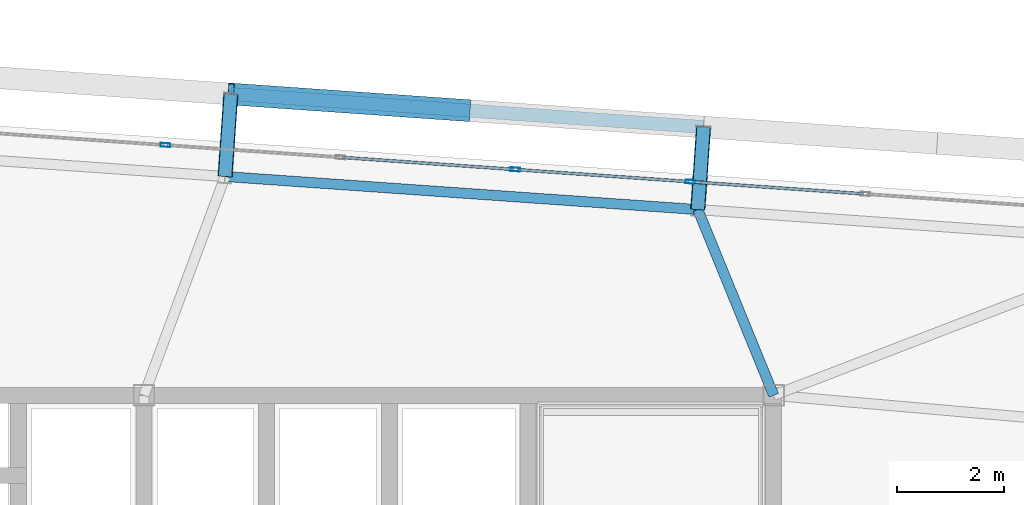
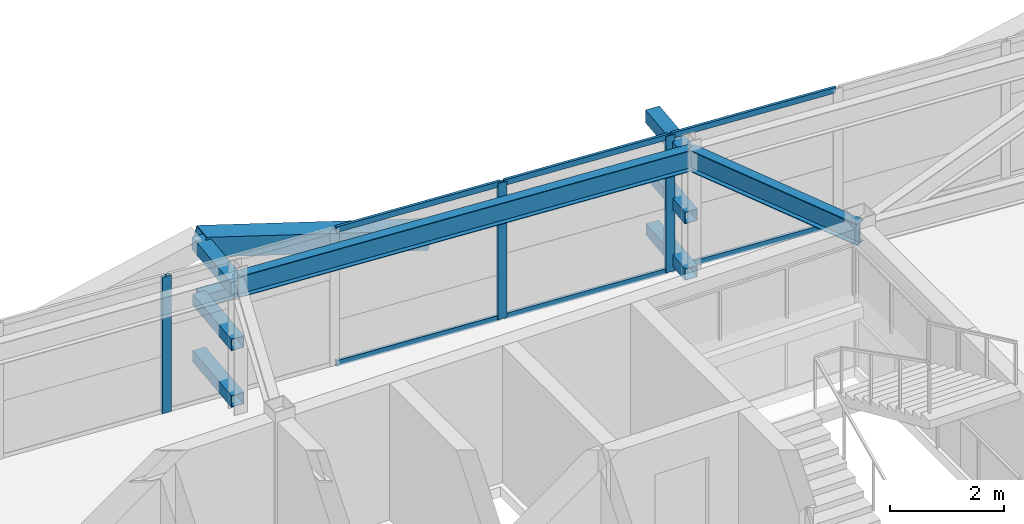
# One storey, part 29 of 47: 17 members, 2 beams, 1 element without a shape of its own.
"""IFC4 building model written with IfcOpenShell, lengths in metres."""

from ifc_helpers import new_model, si_unit, direction, frame, origin, origin_2d, place, context, subcontext, project, spatial, hollow_rectangle, i_section, extrude, source, transform, mapped, material, layer, layer_set, material_profile, profile_set, type_object, element, aggregate, save


model = new_model("IFC4")

# Units and contexts
model_context = context("Model", 3, precision=1e-05, world=origin(), true_north=direction((0.0, 1.0)))
body_context = subcontext(model_context, "Body", "Model", "MODEL_VIEW")
ifc_project = project(units=[si_unit("LENGTHUNIT", "METRE"), si_unit("AREAUNIT", "SQUARE_METRE"), si_unit("VOLUMEUNIT", "CUBIC_METRE"), si_unit("PLANEANGLEUNIT", "RADIAN"), si_unit("MASSUNIT", "GRAM", prefix="KILO")], contexts=[model_context])

# Site, building, storey
site_placement = place(None, origin())
site = spatial("IfcSite", under=ifc_project, at=site_placement, CompositionType="ELEMENT")
building_placement = place(site_placement, origin())
building = spatial("IfcBuilding", under=site, at=building_placement, Name="Taldren Reach Tower", CompositionType="ELEMENT")
storey_placement = place(building_placement, frame((0.0, 0.0, 139.300048828125)))
storey = spatial("IfcBuildingStorey", under=building, at=storey_placement, Name="L42", CompositionType="ELEMENT", Elevation=139.300048828125)

# Members
ifc_material_1 = material(Name="Steel Gr 450 (C450L0)", Category="steel")
ifc_material_profile_1 = material_profile(ifc_material_1, hollow_rectangle(XDim=0.27490234375, YDim=0.27490234375, WallThickness=0.00927734375, at=origin_2d()), Name="275x275x9.3SHS")
ifc_profile_set_1 = profile_set([ifc_material_profile_1], Name="Steel Gr 450 (C450L0)")
member_type_1 = type_object("IfcMemberType", Name="MB-TIE273", PredefinedType="STRUT", material=ifc_profile_set_1)
shared_shape_1 = source(origin(), body_context, "Body", "SweptSolid", [
    extrude(hollow_rectangle(XDim=0.27490234375, YDim=0.27490234375, WallThickness=0.00927734375, at=origin_2d()), origin(), (0.0, 0.0, 1.0), 1.550048828125),
])
for number, where, z_axis, x_axis, name in (
    (1, (40.7197265625, 36.100341796875, 2.64990234375), (0.06976957191, 0.99756313426, 0.0), (-0.99756313426, 0.06976957191, 0.0), "Exoskeleton diaphragm tie strut B3-N4 L42"),
    (2, (49.578125, 35.48095703125, 2.64990234375), (0.06976957191, 0.99756313426, 0.0), (-0.99756313426, 0.06976957191, 0.0), "Exoskeleton diaphragm tie strut B3-N5 L42"),
):
    element("IfcMember", number, at=place(storey_placement, frame(where, z_axis=z_axis, x_axis=x_axis)), inside=storey, type_object=member_type_1, Name=name, PredefinedType="STRUT", context=body_context, shape_type="MappedRepresentation", body=[
        mapped(shared_shape_1, transform((0.0, 0.0, 0.0), scale=1.0)),
    ])
ifc_material_2 = material(Name="Steel Gr 350 (C350L0)", Category="steel")
ifc_material_profile_2 = material_profile(ifc_material_2, hollow_rectangle(XDim=0.25, YDim=0.25, WallThickness=0.010009765625, at=origin_2d()), Name="250x250x10.0SHS")
ifc_profile_set_2 = profile_set([ifc_material_profile_2], Name="Steel Gr 350 (C350L0)")
member_type_2 = type_object("IfcMemberType", Name="MB-POST250", PredefinedType="POST", material=ifc_profile_set_2)
shared_shape_2 = source(origin(), body_context, "Body", "SweptSolid", [
    extrude(hollow_rectangle(XDim=0.25, YDim=0.25, WallThickness=0.010009765625, at=origin_2d()), origin(), (0.0, 0.0, 1.0), 1.550048828125),
])
for number, where, z_axis, x_axis, name in (
    (3, (40.7197265625, 36.100341796875, 0.219970703125), (0.06976957191, 0.99756313426, 0.0), (-0.99756313426, 0.06976957191, 0.0), "Exoskeleton base diaphragm tie strut B3-N4 L42"),
    (4, (49.578125, 35.48095703125, 0.219970703125), (0.06976957191, 0.99756313426, 0.0), (-0.99756313426, 0.06976957191, 0.0), "Exoskeleton base diaphragm tie strut B3-N5 L42"),
    (5, (40.7197265625, 36.100341796875, 1.43505859375), (0.06976957191, 0.99756313426, 0.0), (-0.99756313426, 0.06976957191, 0.0), "Exoskeleton mid-tier diaphragm tie B3-N4 L42"),
    (6, (49.578125, 35.48095703125, 1.43505859375), (0.06976957191, 0.99756313426, 0.0), (-0.99756313426, 0.06976957191, 0.0), "Exoskeleton mid-tier diaphragm tie B3-N5 L42"),
):
    element("IfcMember", number, at=place(storey_placement, frame(where, z_axis=z_axis, x_axis=x_axis)), inside=storey, type_object=member_type_2, Name=name, PredefinedType="POST", context=body_context, shape_type="MappedRepresentation", body=[
        mapped(shared_shape_2, transform((0.0, 0.0, 0.0), scale=1.0)),
    ])

# Beams
ifc_material_3 = material(Name="Steel Gr 350 (350PLUS)", Category="steel")
ifc_material_profile_3 = material_profile(ifc_material_3, i_section(OverallWidth=0.18994140625, OverallDepth=0.4541015625, WebThickness=0.008544921875, FlangeThickness=0.0126953125, at=origin_2d()), Name="460UB67.1")
ifc_profile_set_3 = profile_set([ifc_material_profile_3], Name="Steel Gr 350 (350PLUS)")
beam_type_1 = type_object("IfcBeamType", Name="SP-UB460B", PredefinedType="SPANDREL", material=ifc_profile_set_3)
shared_shape_3 = source(origin(), body_context, "Body", "SweptSolid", [
    extrude(i_section(OverallWidth=0.18994140625, OverallDepth=0.4541015625, WebThickness=0.008544921875, FlangeThickness=0.0126953125, at=origin_2d()), origin(), (0.0, 0.0, 1.0), 8.880126953125),
])
beam_1_placement = place(storey_placement, frame((49.578125, 35.48095703125, 2.702880859375), z_axis=(-0.997564479639, 0.069750333063, 0.0), x_axis=(-0.069750333063, -0.997564479639, 0.0)))
element("IfcBeam", 7, at=beam_1_placement, inside=storey, type_object=beam_type_1, Name="Perimeter spandrel B3 N5-N4 L42", PredefinedType="SPANDREL", context=body_context, shape_type="MappedRepresentation", body=[
    mapped(shared_shape_3, transform((0.0, 0.0, 0.0), scale=1.0)),
])
ifc_material_profile_4 = material_profile(ifc_material_3, i_section(OverallWidth=0.19091796875, OverallDepth=0.4599609375, WebThickness=0.010009765625, FlangeThickness=0.01611328125, at=origin_2d()), Name="460UB82.1")
ifc_profile_set_4 = profile_set([ifc_material_profile_4], Name="Steel Gr 350 (350PLUS)")
beam_type_2 = type_object("IfcBeamType", Name="BM-UB460A", PredefinedType="BEAM", material=ifc_profile_set_4)
shared_shape_4 = source(origin(), body_context, "Body", "SweptSolid", [
    extrude(i_section(OverallWidth=0.19091796875, OverallDepth=0.4599609375, WebThickness=0.010009765625, FlangeThickness=0.01611328125, at=origin_2d()), origin(), (0.0, 0.0, 1.0), 3.76025390625),
])
beam_2_placement = place(storey_placement, frame((51.0, 32.0, 2.699951171875), z_axis=(-0.37814232545, 0.925747471886, 0.0), x_axis=(-0.925747471886, -0.37814232545, 0.0)))
element("IfcBeam", 8, at=beam_2_placement, inside=storey, type_object=beam_type_2, Name="Primary floor girder B3-N5 L42", PredefinedType="BEAM", context=body_context, shape_type="MappedRepresentation", body=[
    mapped(shared_shape_4, transform((0.0, 0.0, 0.0), scale=1.0)),
])

# Members
shared_shape_5 = source(origin(), body_context, "Body", "SweptSolid", [
    extrude(hollow_rectangle(XDim=0.25, YDim=0.25, WallThickness=0.010009765625, at=origin_2d()), origin(), (0.0, 0.0, 1.0), 8.880126953125),
])
member_1_placement = place(storey_placement, frame((40.827880859375, 37.646728515625, 1.43505859375), z_axis=(0.997564479639, -0.069750333063, 0.0), x_axis=(0.069750333063, 0.997564479639, 0.0)))
element("IfcMember", 9, at=member_1_placement, inside=storey, type_object=member_type_2, Name="Exoskeleton mid-height ring chord B3-N4 L42", PredefinedType="POST", context=body_context, shape_type="MappedRepresentation", body=[
    mapped(shared_shape_5, transform((0.0, 0.0, 0.0), scale=1.0)),
])
ifc_material_profile_5 = material_profile(ifc_material_1, hollow_rectangle(XDim=0.409912109375, YDim=0.409912109375, WallThickness=0.01611328125, at=origin_2d()), Name="410x410x16.0SHS")
ifc_profile_set_5 = profile_set([ifc_material_profile_5], Name="Steel Gr 450 (C450L0)")
member_type_3 = type_object("IfcMemberType", Name="MB-EXO406", PredefinedType="BRACE", material=ifc_profile_set_5)
shared_shape_6 = source(origin(), body_context, "Body", "SweptSolid", [
    extrude(hollow_rectangle(XDim=0.409912109375, YDim=0.409912109375, WallThickness=0.01611328125, at=origin_2d()), origin(), (0.0, 0.0, 1.0), 4.603271484375),
])
member_2_placement = place(storey_placement, frame((45.257080078125, 37.3369140625, 1.43505859375), z_axis=(-0.962195820062, 0.067303852699, 0.263911718699), x_axis=(-0.06977769246, -0.997562566276, 0.0)))
element("IfcMember", 10, at=member_2_placement, inside=storey, type_object=member_type_3, Name="Exoskeleton Diagrid Brace B3-N4 L42", PredefinedType="BRACE", context=body_context, shape_type="MappedRepresentation", body=[
    mapped(shared_shape_6, transform((0.0, 0.0, 0.0), scale=1.0)),
])

# Curtain wall, members
ifc_material_4 = material(Name="Aluminium and Low-E Glass Unitised System", Category="aluminium")
ifc_layer = layer(ifc_material_4, 0.159912109375)
ifc_layer_set = layer_set([ifc_layer], Name="Aluminium and Low-E Glass Unitised System")
curtain_wall_type = type_object("IfcCurtainWallType", Name="CW-SYS-4", PredefinedType="NOTDEFINED", material=ifc_layer_set)
curtain_wall_placement = place(storey_placement, origin())
curtain_wall = element("IfcCurtainWall", 11, at=curtain_wall_placement, inside=storey, type_object=curtain_wall_type, Name="Unitised curtain wall CW-L42-N", PredefinedType="NOTDEFINED")
ifc_material_5 = material(Name="Anodised Aluminium 6063-T6", Category="aluminium")
ifc_material_profile_6 = material_profile(ifc_material_5, hollow_rectangle(XDim=0.070068359375, YDim=0.179931640625, WallThickness=0.00390625, at=origin_2d()), Name="ALU-180x70x4RHS")
ifc_profile_set_6 = profile_set([ifc_material_profile_6], Name="Anodised Aluminium 6063-T6")
member_type_4 = type_object("IfcMemberType", Name="CW-MUL-180", PredefinedType="MULLION", material=ifc_profile_set_6)
shared_shape_7 = source(origin(), body_context, "Body", "SweptSolid", [
    extrude(hollow_rectangle(XDim=0.070068359375, YDim=0.179931640625, WallThickness=0.00390625, at=origin_2d()), origin(), (0.0, 0.0, 1.0), 2.929931640625),
])
member_3_placement = place(storey_placement, frame((49.43701171875, 36.002197265625, 0.0), z_axis=(0.0, 0.0, 1.0), x_axis=(-0.06975651593, -0.99756404731, 0.0)))
member_3 = element("IfcMember", 12, at=member_3_placement, type_object=member_type_4, Name="CW-4 mullion 4", PredefinedType="MULLION", context=body_context, shape_type="MappedRepresentation", body=[
    mapped(shared_shape_7, transform((0.0, 0.0, 0.0), scale=1.0)),
])
member_4_placement = place(storey_placement, frame((46.1591796875, 36.2314453125, 0.0), z_axis=(0.0, 0.0, 1.0), x_axis=(-0.06975651593, -0.99756404731, 0.0)))
member_4 = element("IfcMember", 13, at=member_4_placement, type_object=member_type_4, Name="CW-4 mullion 5", PredefinedType="MULLION", context=body_context, shape_type="MappedRepresentation", body=[
    mapped(shared_shape_7, transform((0.0, 0.0, 0.0), scale=1.0)),
])
member_5_placement = place(storey_placement, frame((39.603759765625, 36.689697265625, 0.0), z_axis=(0.0, 0.0, 1.0), x_axis=(-0.06975651593, -0.99756404731, 0.0)))
member_5 = element("IfcMember", 14, at=member_5_placement, type_object=member_type_4, Name="CW-4 mullion 7", PredefinedType="MULLION", context=body_context, shape_type="MappedRepresentation", body=[
    mapped(shared_shape_7, transform((0.0, 0.0, 0.0), scale=1.0)),
])
ifc_material_profile_7 = material_profile(ifc_material_5, hollow_rectangle(XDim=0.054931640625, YDim=0.1201171875, WallThickness=0.0029296875, at=origin_2d()), Name="ALU-120x55x3RHS")
ifc_profile_set_7 = profile_set([ifc_material_profile_7], Name="Anodised Aluminium 6063-T6")
member_type_5 = type_object("IfcMemberType", Name="CW-TRN-135", PredefinedType="USERDEFINED", material=ifc_profile_set_7)
shared_shape_8 = source(origin(), body_context, "Body", "SweptSolid", [
    extrude(hollow_rectangle(XDim=0.054931640625, YDim=0.1201171875, WallThickness=0.0029296875, at=origin_2d()), origin(), (0.0, 0.0, 1.0), 3.2158203125),
])
member_6_placement = place(storey_placement, frame((49.402099609375, 36.004638671875, 0.02734375), z_axis=(-0.997563195991, 0.069768689278, 0.0), x_axis=(-0.069768689278, -0.997563195991, 0.0)))
member_6 = element("IfcMember", 15, at=member_6_placement, type_object=member_type_5, Name="CW-4 transom 4.1", ObjectType="TRANSOM", PredefinedType="USERDEFINED", context=body_context, shape_type="MappedRepresentation", body=[
    mapped(shared_shape_8, transform((0.0, 0.0, 0.0), scale=1.0)),
])
member_7_placement = place(storey_placement, frame((49.402099609375, 36.004638671875, 2.90234375), z_axis=(-0.997563195991, 0.069768689278, 0.0), x_axis=(-0.069768689278, -0.997563195991, 0.0)))
member_7 = element("IfcMember", 16, at=member_7_placement, type_object=member_type_5, Name="CW-4 transom 4.2", ObjectType="TRANSOM", PredefinedType="USERDEFINED", context=body_context, shape_type="MappedRepresentation", body=[
    mapped(shared_shape_8, transform((0.0, 0.0, 0.0), scale=1.0)),
])
shared_shape_9 = source(origin(), body_context, "Body", "SweptSolid", [
    extrude(hollow_rectangle(XDim=0.054931640625, YDim=0.1201171875, WallThickness=0.0029296875, at=origin_2d()), origin(), (0.0, 0.0, 1.0), 3.215576171875),
])
member_8_placement = place(storey_placement, frame((52.6796875, 35.775390625, 0.02734375), z_axis=(-0.997562826405, 0.069773973473, 0.0), x_axis=(-0.069773973473, -0.997562826405, 0.0)))
member_8 = element("IfcMember", 17, at=member_8_placement, type_object=member_type_5, Name="CW-4 transom 3.1", ObjectType="TRANSOM", PredefinedType="USERDEFINED", context=body_context, shape_type="MappedRepresentation", body=[
    mapped(shared_shape_9, transform((0.0, 0.0, 0.0), scale=1.0)),
])
member_9_placement = place(storey_placement, frame((52.6796875, 35.775390625, 2.90234375), z_axis=(-0.997562826405, 0.069773973473, 0.0), x_axis=(-0.069773973473, -0.997562826405, 0.0)))
member_9 = element("IfcMember", 18, at=member_9_placement, type_object=member_type_5, Name="CW-4 transom 3.2", ObjectType="TRANSOM", PredefinedType="USERDEFINED", context=body_context, shape_type="MappedRepresentation", body=[
    mapped(shared_shape_9, transform((0.0, 0.0, 0.0), scale=1.0)),
])
member_10_placement = place(storey_placement, frame((46.124267578125, 36.23388671875, 0.02734375), z_axis=(-0.997568108166, 0.0696984187, 0.0), x_axis=(-0.0696984187, -0.997568108166, 0.0)))
member_10 = element("IfcMember", 19, at=member_10_placement, type_object=member_type_5, Name="CW-4 transom 5.1", ObjectType="TRANSOM", PredefinedType="USERDEFINED", context=body_context, shape_type="MappedRepresentation", body=[
    mapped(shared_shape_9, transform((0.0, 0.0, 0.0), scale=1.0)),
])
member_11_placement = place(storey_placement, frame((46.124267578125, 36.23388671875, 2.90234375), z_axis=(-0.997568108166, 0.0696984187, 0.0), x_axis=(-0.0696984187, -0.997568108166, 0.0)))
member_11 = element("IfcMember", 20, at=member_11_placement, type_object=member_type_5, Name="CW-4 transom 5.2", ObjectType="TRANSOM", PredefinedType="USERDEFINED", context=body_context, shape_type="MappedRepresentation", body=[
    mapped(shared_shape_9, transform((0.0, 0.0, 0.0), scale=1.0)),
])
aggregate(curtain_wall, [member_3, member_4, member_5, member_8, member_9, member_6, member_7, member_10, member_11])

save(model, "model.ifc")
